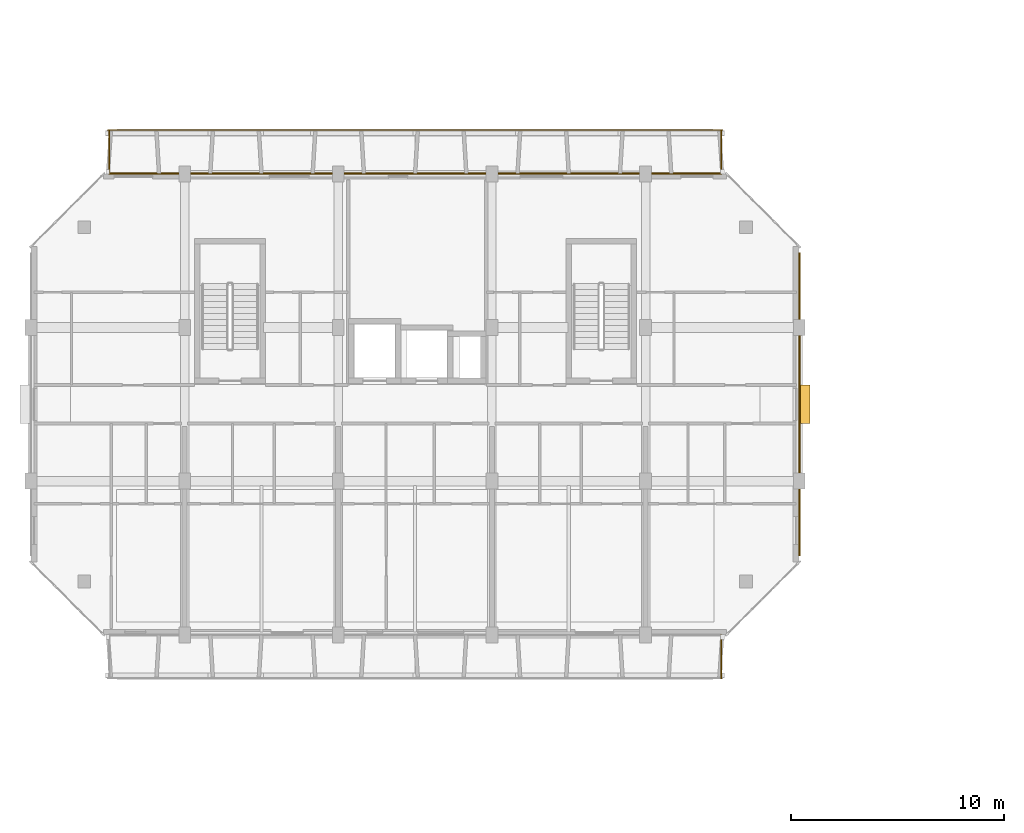
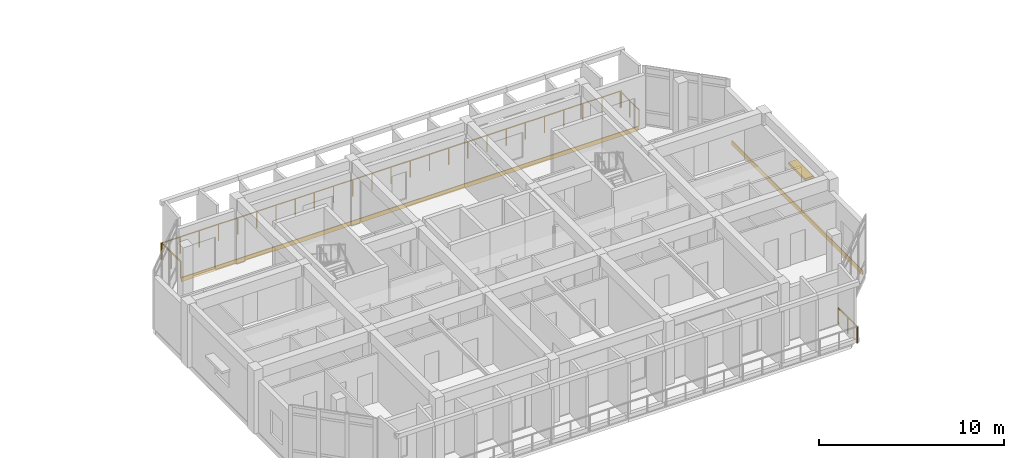
# One storey, part 71 of 85: 4 railings, 2 coverings, 1 shading device.
"""IFC4 building model written with IfcOpenShell, lengths in metres."""

from ifc_helpers import new_model, si_unit, direction, frame, origin, origin_2d, place, context, subcontext, project, spatial, rectangle, circle, extrude, material, layer, layer_set, type_object, element, save


model = new_model("IFC4")

# Units and contexts
model_context = context("Model", 3, precision=1e-05, world=origin(), true_north=direction((0.0, 1.0)))
body_context = subcontext(model_context, "Body", "Model", "MODEL_VIEW")
ifc_project = project(units=[si_unit("LENGTHUNIT", "METRE"), si_unit("AREAUNIT", "SQUARE_METRE"), si_unit("VOLUMEUNIT", "CUBIC_METRE"), si_unit("PLANEANGLEUNIT", "RADIAN"), si_unit("MASSUNIT", "GRAM", prefix="KILO")], contexts=[model_context])

# Site, building, storey
site_placement = place(None, origin())
site = spatial("IfcSite", under=ifc_project, at=site_placement, CompositionType="ELEMENT")
building_placement = place(site_placement, origin())
building = spatial("IfcBuilding", under=site, at=building_placement, Name="Ochrevale Crest", CompositionType="ELEMENT")
storey_placement = place(building_placement, frame((0.0, 0.0, 4.5)))
storey = spatial("IfcBuildingStorey", under=building, at=storey_placement, Name="L01", CompositionType="ELEMENT", Elevation=4.5)

# Coverings
ifc_material_1 = material(Name="Glazed terracotta rainscreen tile", Category="masonry")
ifc_layer = layer(ifc_material_1, 0.048095703125)
ifc_layer_set = layer_set([ifc_layer], Name="Glazed terracotta rainscreen tile")
covering_type = type_object("IfcCoveringType", Name="COV-CLAD-TER", PredefinedType="CLADDING", material=ifc_layer_set)
covering_1_placement = place(storey_placement, frame((36.014404296875, 25.199951171875, -0.26025390625), z_axis=(0.0, 0.0, 1.0), x_axis=(0.0, 1.0, 0.0)))
element("IfcCovering", 1, at=covering_1_placement, inside=storey, type_object=covering_type, Name="Block A L01 terracotta slab-edge spandrel cladding", PredefinedType="CLADDING", context=body_context, shape_type="SweptSolid", body=[
    extrude(rectangle(XDim=14.199951171875, YDim=0.06005859375, at=origin_2d()), origin(), (0.0, 0.0, 1.0), 0.280029296875),
])
covering_2_placement = place(storey_placement, frame((18.0, 36.012451171875, -0.26025390625), z_axis=(0.0, 0.0, 1.0), x_axis=(-1.0, 0.0, 0.0)))
element("IfcCovering", 2, at=covering_2_placement, inside=storey, type_object=covering_type, Name="Block A L01 terracotta slab-edge spandrel cladding", PredefinedType="CLADDING", context=body_context, shape_type="SweptSolid", body=[
    extrude(rectangle(XDim=28.60009765625, YDim=0.06005859375, at=origin_2d()), origin(), (0.0, 0.0, 1.0), 0.280029296875),
])

# Railings
ifc_material_2 = material(Name="Galvanised steel", Category="steel")
railing_type = type_object("IfcRailingType", Name="RL-BAL-1100", PredefinedType="BALUSTRADE", material=ifc_material_2)
railing_1_placement = place(storey_placement, frame((32.340087890625, 14.39990234375, 0.0)))
element("IfcRailing", 3, at=railing_1_placement, inside=storey, type_object=railing_type, Name="Block A L01 S-E balcony side guard", PredefinedType="BALUSTRADE", context=body_context, shape_type="SweptSolid", body=[
    extrude(circle(Radius=0.02392578125, at=origin_2d()), frame((0.0, 0.0, 1.0859375), z_axis=(0.0, -1.0, 0.0), x_axis=(1.0, 0.0, 0.0)), (0.0, 0.0, 1.0), 2.039794921875),
    extrude(circle(Radius=0.02099609375, at=origin_2d()), origin(), (0.0, 0.0, 1.0), 1.06201171875),
    extrude(circle(Radius=0.02099609375, at=origin_2d()), frame((0.0, -1.02001953125, 0.0)), (0.0, 0.0, 1.0), 1.06201171875),
    extrude(circle(Radius=0.02099609375, at=origin_2d()), frame((0.0, -2.039794921875, 0.0)), (0.0, 0.0, 1.0), 1.06201171875),
])
railing_2_placement = place(storey_placement, frame((3.60009765625, 38.0400390625, 0.0)))
element("IfcRailing", 4, at=railing_2_placement, inside=storey, type_object=railing_type, Name="Block A L01 N balcony front balustrade", PredefinedType="BALUSTRADE", context=body_context, shape_type="SweptSolid", body=[
    extrude(circle(Radius=0.02392578125, at=origin_2d()), frame((0.0, 0.0, 1.0859375), z_axis=(1.0, 0.0, 0.0), x_axis=(0.0, 1.0, 0.0)), (0.0, 0.0, 1.0), 28.7998046875),
    extrude(circle(Radius=0.02099609375, at=origin_2d()), origin(), (0.0, 0.0, 1.0), 1.06201171875),
    extrude(circle(Radius=0.02099609375, at=origin_2d()), frame((1.199951171875, 0.0, 0.0)), (0.0, 0.0, 1.0), 1.06201171875),
    extrude(circle(Radius=0.02099609375, at=origin_2d()), frame((2.39990234375, 0.0, 0.0)), (0.0, 0.0, 1.0), 1.06201171875),
    extrude(circle(Radius=0.02099609375, at=origin_2d()), frame((3.60009765625, 0.0, 0.0)), (0.0, 0.0, 1.0), 1.06201171875),
    extrude(circle(Radius=0.02099609375, at=origin_2d()), frame((4.800048828125, 0.0, 0.0)), (0.0, 0.0, 1.0), 1.06201171875),
    extrude(circle(Radius=0.02099609375, at=origin_2d()), frame((6.0, 0.0, 0.0)), (0.0, 0.0, 1.0), 1.06201171875),
    extrude(circle(Radius=0.02099609375, at=origin_2d()), frame((7.199951171875, 0.0, 0.0)), (0.0, 0.0, 1.0), 1.06201171875),
    extrude(circle(Radius=0.02099609375, at=origin_2d()), frame((8.39990234375, 0.0, 0.0)), (0.0, 0.0, 1.0), 1.06201171875),
    extrude(circle(Radius=0.02099609375, at=origin_2d()), frame((9.599853515625, 0.0, 0.0)), (0.0, 0.0, 1.0), 1.06201171875),
    extrude(circle(Radius=0.02099609375, at=origin_2d()), frame((10.7998046875, 0.0, 0.0)), (0.0, 0.0, 1.0), 1.06201171875),
    extrude(circle(Radius=0.02099609375, at=origin_2d()), frame((12.0, 0.0, 0.0)), (0.0, 0.0, 1.0), 1.06201171875),
    extrude(circle(Radius=0.02099609375, at=origin_2d()), frame((13.199951171875, 0.0, 0.0)), (0.0, 0.0, 1.0), 1.06201171875),
    extrude(circle(Radius=0.02099609375, at=origin_2d()), frame((14.39990234375, 0.0, 0.0)), (0.0, 0.0, 1.0), 1.06201171875),
    extrude(circle(Radius=0.02099609375, at=origin_2d()), frame((15.599853515625, 0.0, 0.0)), (0.0, 0.0, 1.0), 1.06201171875),
    extrude(circle(Radius=0.02099609375, at=origin_2d()), frame((16.7998046875, 0.0, 0.0)), (0.0, 0.0, 1.0), 1.06201171875),
    extrude(circle(Radius=0.02099609375, at=origin_2d()), frame((18.0, 0.0, 0.0)), (0.0, 0.0, 1.0), 1.06201171875),
    extrude(circle(Radius=0.02099609375, at=origin_2d()), frame((19.199951171875, 0.0, 0.0)), (0.0, 0.0, 1.0), 1.06201171875),
    extrude(circle(Radius=0.02099609375, at=origin_2d()), frame((20.39990234375, 0.0, 0.0)), (0.0, 0.0, 1.0), 1.06201171875),
    extrude(circle(Radius=0.02099609375, at=origin_2d()), frame((21.599853515625, 0.0, 0.0)), (0.0, 0.0, 1.0), 1.06201171875),
    extrude(circle(Radius=0.02099609375, at=origin_2d()), frame((22.7998046875, 0.0, 0.0)), (0.0, 0.0, 1.0), 1.06201171875),
    extrude(circle(Radius=0.02099609375, at=origin_2d()), frame((23.999755859375, 0.0, 0.0)), (0.0, 0.0, 1.0), 1.06201171875),
    extrude(circle(Radius=0.02099609375, at=origin_2d()), frame((25.19970703125, 0.0, 0.0)), (0.0, 0.0, 1.0), 1.06201171875),
    extrude(circle(Radius=0.02099609375, at=origin_2d()), frame((26.39990234375, 0.0, 0.0)), (0.0, 0.0, 1.0), 1.06201171875),
    extrude(circle(Radius=0.02099609375, at=origin_2d()), frame((27.599853515625, 0.0, 0.0)), (0.0, 0.0, 1.0), 1.06201171875),
    extrude(circle(Radius=0.02099609375, at=origin_2d()), frame((28.7998046875, 0.0, 0.0)), (0.0, 0.0, 1.0), 1.06201171875),
])
for number, where, name in (
    (5, (3.659912109375, 36.0, 0.0), "Block A L01 N-W balcony side guard"),
    (6, (32.340087890625, 36.0, 0.0), "Block A L01 N-E balcony side guard"),
):
    element("IfcRailing", number, at=place(storey_placement, frame(where)), inside=storey, type_object=railing_type, Name=name, PredefinedType="BALUSTRADE", context=body_context, shape_type="SweptSolid", body=[
        extrude(circle(Radius=0.02392578125, at=origin_2d()), frame((0.0, 0.0, 1.0859375), z_axis=(0.0, 1.0, 0.0), x_axis=(-1.0, 0.0, 0.0)), (0.0, 0.0, 1.0), 2.0400390625),
        extrude(circle(Radius=0.02099609375, at=origin_2d()), origin(), (0.0, 0.0, 1.0), 1.06201171875),
        extrude(circle(Radius=0.02099609375, at=origin_2d()), frame((0.0, 1.02001953125, 0.0)), (0.0, 0.0, 1.0), 1.06201171875),
        extrude(circle(Radius=0.02099609375, at=origin_2d()), frame((0.0, 2.0400390625, 0.0)), (0.0, 0.0, 1.0), 1.06201171875),
    ])

# Shading device
ifc_material_3 = material(Name="Anodised aluminium 6063-T5", Category="aluminium")
shading_device_type = type_object("IfcShadingDeviceType", Name="SHD-SUNSHADE-OC", PredefinedType="USERDEFINED", material=ifc_material_3)
shading_device_placement = place(storey_placement, frame((36.239990234375, 25.199951171875, 2.2099609375), z_axis=(0.0, 0.0, 1.0), x_axis=(1.0, 0.0, 0.0)))
element("IfcShadingDevice", 7, at=shading_device_placement, inside=storey, type_object=shading_device_type, Name="Block A L01 gable window sunshade E", ObjectType="HORIZONTAL SUNSHADE", PredefinedType="USERDEFINED", context=body_context, shape_type="SweptSolid", body=[
    extrude(rectangle(XDim=0.550048828125, YDim=1.800048828125, at=origin_2d()), origin(), (0.0, 0.0, 1.0), 0.139892578125),
])

save(model, "model.ifc")
